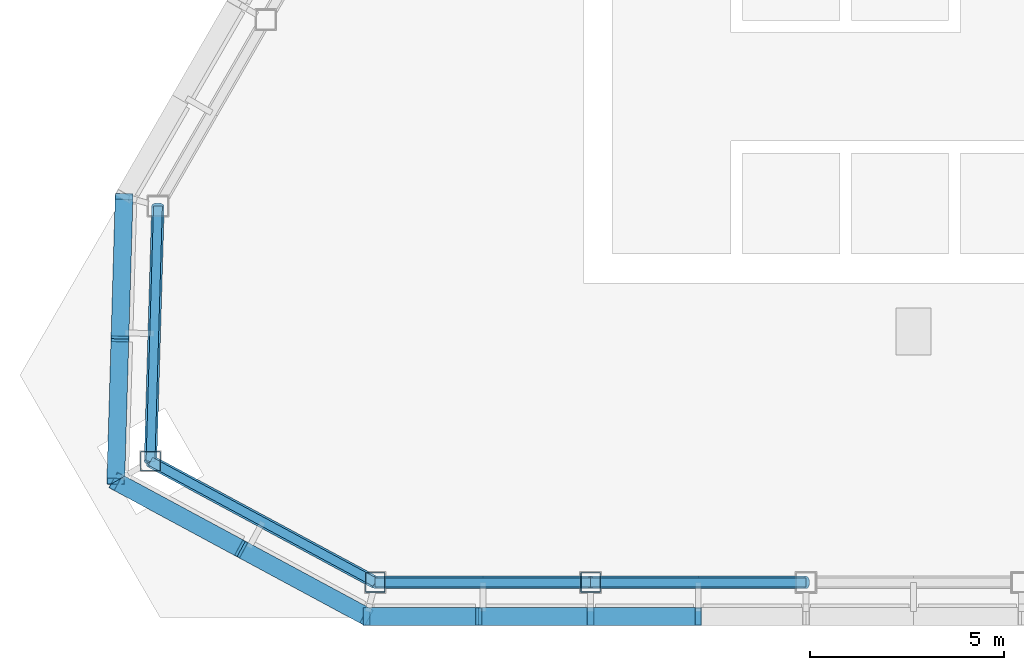
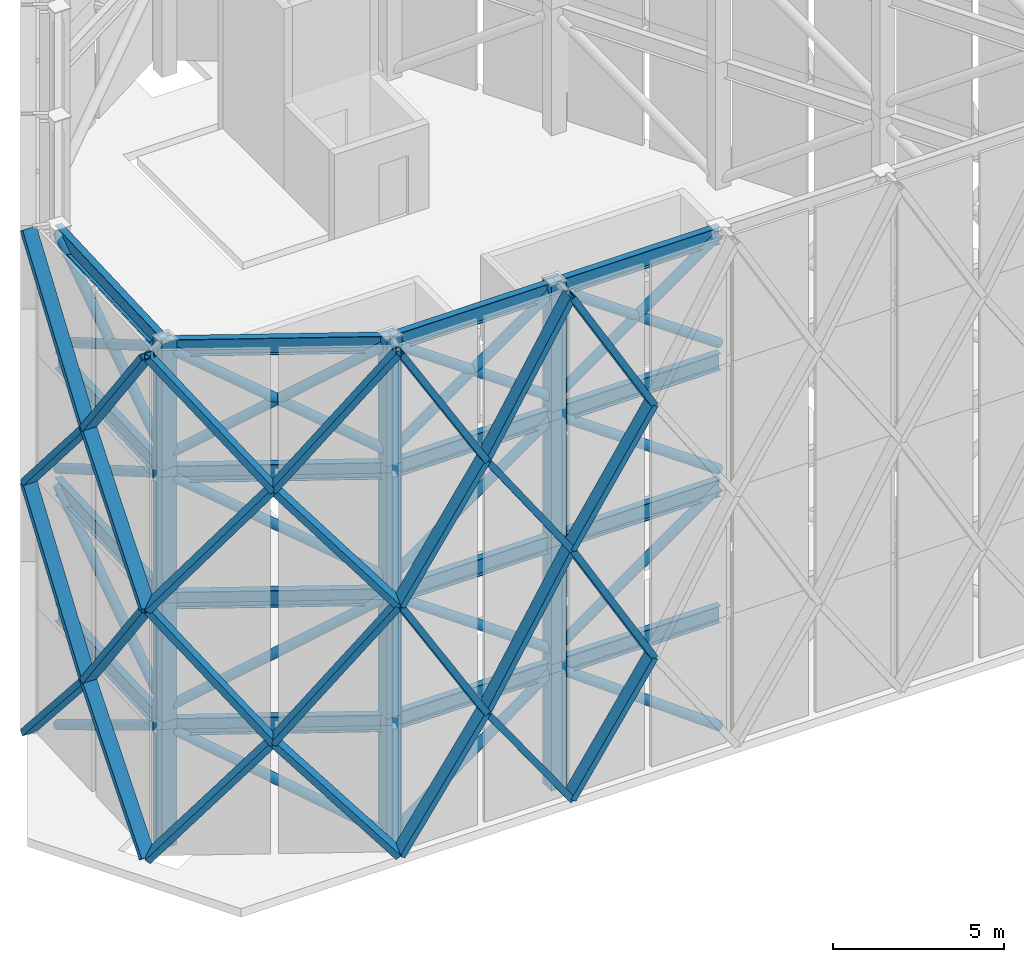
# One storey, part 1 of 12: 60 members, 16 beams.
"""IFC4 building model written with IfcOpenShell, lengths in metres."""

import ifcopenshell
import ifcopenshell.guid

model = None  # the IFC model being written
_history = None  # IfcOwnerHistory: only IFC2X3 demands one
_inside = {}  # id of a spatial element -> (the spatial element, [elements in it])
_under = {}  # id of a project, library or spatial element -> (it, [spatial elements below it])
_declared = {}  # id of a project -> (the project, [libraries it declares])
_typed = {}  # id of a type object -> (the type object, [elements of that type])
_made_of = {}  # id of a material, layer set ... -> (it, [elements and type objects made of it])


def new_model(schema):
    """Start an empty IFC model of exactly this schema.

    Asked for "IFC4X3", IfcOpenShell would pick the latest addendum, in which some entities
    have other attributes; the version numbers below select the first issue.
    IFC2X3 requires an IfcOwnerHistory on every rooted entity: one is made here for all.
    """
    global model, _history
    if schema == "IFC4X3":
        model = ifcopenshell.file(schema_version=(4, 3, 0, 0))
    else:
        model = ifcopenshell.file(schema=schema)
    _inside.clear()
    _under.clear()
    _declared.clear()
    _typed.clear()
    _made_of.clear()
    _history = None
    if model.schema == "IFC2X3":
        org = make("IfcOrganization", Name="unknown")
        user = make(
            "IfcPersonAndOrganization",
            ThePerson=make("IfcPerson", FamilyName="unknown"),
            TheOrganization=org,
        )
        app = make(
            "IfcApplication",
            ApplicationDeveloper=org,
            Version="unknown",
            ApplicationFullName="unknown",
            ApplicationIdentifier="unknown",
        )
        _history = make(
            "IfcOwnerHistory",
            OwningUser=user,
            OwningApplication=app,
            ChangeAction="ADDED",
            CreationDate=0,
        )
    return model


def make(cls, **values):
    """One entity of the class cls with the attributes given. An attribute that is None is left unset."""
    return model.create_entity(
        cls, **{name: value for name, value in values.items() if value is not None}
    )


def rooted(cls, **values):
    """An entity with a GlobalId (a new one), such as an element, a storey or a relation."""
    return make(cls, GlobalId=ifcopenshell.guid.new(), OwnerHistory=_history, **values)


def si_unit(unit_type, name, prefix=None):
    """IfcSIUnit, for example si_unit("LENGTHUNIT", "METRE", prefix="MILLI")."""
    return make("IfcSIUnit", UnitType=unit_type, Prefix=prefix, Name=name)


def assignment(units):
    """IfcUnitAssignment: the units of a project."""
    return None if units is None else make("IfcUnitAssignment", Units=units)


def point(xyz):
    """IfcCartesianPoint."""
    return None if xyz is None else make("IfcCartesianPoint", Coordinates=xyz)


def direction(xyz):
    """IfcDirection."""
    return None if xyz is None else make("IfcDirection", DirectionRatios=xyz)


def frame(location, z_axis=None, x_axis=None):
    """IfcAxis2Placement3D, a coordinate frame: its origin and axes. An axis left out is left unset."""
    return make(
        "IfcAxis2Placement3D",
        Location=point(location),
        Axis=direction(z_axis),
        RefDirection=direction(x_axis),
    )


def frame_2d(location, x_axis=None):
    """IfcAxis2Placement2D, a coordinate frame in the plane: its origin and x axis."""
    return make(
        "IfcAxis2Placement2D", Location=point(location), RefDirection=direction(x_axis)
    )


def origin():
    """The frame at (0, 0, 0) with its axes left unset."""
    return frame((0.0, 0.0, 0.0))


def origin_2d():
    """The frame at (0, 0) in the plane with its x axis left unset."""
    return frame_2d((0.0, 0.0))


def place(relative_to, where):
    """IfcLocalPlacement: puts the frame where relative to a parent placement (None: the world)."""
    return make(
        "IfcLocalPlacement", PlacementRelTo=relative_to, RelativePlacement=where
    )


def context(
    kind, dimensions, precision=None, world=None, true_north=None, identifier=None
):
    """IfcGeometricRepresentationContext, for example the 3D "Model" context."""
    return make(
        "IfcGeometricRepresentationContext",
        ContextIdentifier=identifier,
        ContextType=kind,
        CoordinateSpaceDimension=dimensions,
        Precision=precision,
        WorldCoordinateSystem=world,
        TrueNorth=true_north,
    )


def subcontext(parent, identifier, kind, view, scale=None):
    """IfcGeometricRepresentationSubContext, for example "Body" below "Model"."""
    return make(
        "IfcGeometricRepresentationSubContext",
        ContextIdentifier=identifier,
        ContextType=kind,
        ParentContext=parent,
        TargetScale=scale,
        TargetView=view,
    )


def project(units=None, contexts=None):
    """IfcProject with its units and contexts."""
    return rooted(
        "IfcProject",
        Name="project",
        RepresentationContexts=contexts,
        UnitsInContext=assignment(units),
    )


def spatial(cls, under=None, at=None, **own):
    """A site, building, storey or space (cls), placed at a placement, below another one or the project."""
    s = rooted(cls, ObjectPlacement=at, **own)
    if under is not None:
        _under.setdefault(under.id(), (under, []))[1].append(s)
    return s


def profile(cls, at=None, kind="AREA", **sizes):
    """A parametric profile (cls). Its sizes go by their IFC names, for example OverallWidth=200.0."""
    return make(cls, ProfileType=kind, Position=at, **sizes)


def hollow_rectangle(**sizes):
    """IfcRectangleHollowProfileDef."""
    return profile("IfcRectangleHollowProfileDef", **sizes)


def hollow_circle(**sizes):
    """IfcCircleHollowProfileDef."""
    return profile("IfcCircleHollowProfileDef", **sizes)


def i_section(**sizes):
    """IfcIShapeProfileDef."""
    return profile("IfcIShapeProfileDef", **sizes)


def extrude(swept, where, along, depth):
    """IfcExtrudedAreaSolid: the profile swept, set in the frame where, extruded along a direction by depth."""
    return make(
        "IfcExtrudedAreaSolid",
        SweptArea=swept,
        Position=where,
        ExtrudedDirection=direction(along),
        Depth=depth,
    )


def shape(context_of_items, identifier, shape_type, items):
    """IfcShapeRepresentation: the items that make up one representation, for example the "Body"."""
    return make(
        "IfcShapeRepresentation",
        ContextOfItems=context_of_items,
        RepresentationIdentifier=identifier,
        RepresentationType=shape_type,
        Items=items,
    )


def material(Name=None, Category=None):
    """IfcMaterial."""
    return make("IfcMaterial", Name=Name, Category=Category)


def material_profile(
    of_material, cross_section, Name=None, Category=None, Priority=None
):
    """IfcMaterialProfile: a cross section and its material."""
    return make(
        "IfcMaterialProfile",
        Name=Name,
        Material=of_material,
        Profile=cross_section,
        Priority=Priority,
        Category=Category,
    )


def profile_set(profiles, Name=None, composite=None):
    """IfcMaterialProfileSet."""
    return make(
        "IfcMaterialProfileSet",
        Name=Name,
        MaterialProfiles=profiles,
        CompositeProfile=composite,
    )


def made_of(thing, what):
    """Note that an element or type object is made of a material, layer set ...; save() writes the relation."""
    if what is not None:
        _made_of.setdefault(what.id(), (what, []))[1].append(thing)
    return thing


def type_object(cls, material=None, **own):
    """A type object (cls), such as IfcWallType, which elements share."""
    return made_of(rooted(cls, **own), material)


def element(
    cls,
    number,
    at=None,
    inside=None,
    cuts=None,
    type_object=None,
    material=None,
    context=None,
    identifier="Body",
    shape_type=None,
    held_by="IfcProductDefinitionShape",
    body=None,
    shapes=None,
    **own,
):
    """One element of the class cls, such as IfcWall. Its Tag is "e" and its number.

    at: its placement. inside: the storey or other place that contains it. cuts: it is an
    opening in that element (IfcRelVoidsElement). A single representation is given by context,
    identifier, shape_type and body (its items); several are given by shapes. held_by: the class
    of the entity that holds the representations. save() writes the other relations.
    """
    e = rooted(cls, Tag="e%d" % number, ObjectPlacement=at, **own)
    if body is not None:
        shapes = [shape(context, identifier, shape_type, body)]
    if shapes is not None:
        e.Representation = make(held_by, Representations=shapes)
    if inside is not None:
        _inside.setdefault(inside.id(), (inside, []))[1].append(e)
    if cuts is not None:
        rooted(
            "IfcRelVoidsElement", RelatingBuildingElement=cuts, RelatedOpeningElement=e
        )
    if type_object is not None:
        _typed.setdefault(type_object.id(), (type_object, []))[1].append(e)
    return made_of(e, material)


def aggregate(whole, parts):
    """IfcRelAggregates: a whole, such as a stair, and the parts it consists of."""
    return rooted("IfcRelAggregates", RelatingObject=whole, RelatedObjects=parts)


def save(model, path):
    """Write the relations noted so far, then the file.

    IfcRelAggregates (storeys below a building ...), IfcRelContainedInSpatialStructure (elements
    in a storey), IfcRelDefinesByType, IfcRelAssociatesMaterial and IfcRelDeclares: one each for
    every whole, place, type object, material and project.
    """
    for whole, parts in _under.values():
        aggregate(whole, parts)
    for where, things in _inside.values():
        rooted(
            "IfcRelContainedInSpatialStructure",
            RelatedElements=things,
            RelatingStructure=where,
        )
    for kind, things in _typed.values():
        rooted("IfcRelDefinesByType", RelatedObjects=things, RelatingType=kind)
    for what, things in _made_of.values():
        rooted("IfcRelAssociatesMaterial", RelatedObjects=things, RelatingMaterial=what)
    for by, libraries in _declared.values():
        rooted("IfcRelDeclares", RelatingContext=by, RelatedDefinitions=libraries)
    model.write(path)


model = new_model("IFC4")

# Units and contexts
model_context = context("Model", 3, precision=1e-05, world=origin(), true_north=direction((0.0, 1.0)))
body_context = subcontext(model_context, "Body", "Model", "MODEL_VIEW")
ifc_project = project(units=[si_unit("LENGTHUNIT", "METRE"), si_unit("AREAUNIT", "SQUARE_METRE"), si_unit("VOLUMEUNIT", "CUBIC_METRE"), si_unit("PLANEANGLEUNIT", "RADIAN"), si_unit("MASSUNIT", "GRAM", prefix="KILO")], contexts=[model_context])

# Site, building, storey
site_placement = place(None, origin())
site = spatial("IfcSite", under=ifc_project, at=site_placement, CompositionType="ELEMENT")
building_placement = place(site_placement, origin())
building = spatial("IfcBuilding", under=site, at=building_placement, Name="Firuza Gate Tower and Library", CompositionType="ELEMENT")
storey_placement = place(building_placement, frame((0.0, 0.0, 339.60009765625)))
storey = spatial("IfcBuildingStorey", under=building, at=storey_placement, Name="Roof", CompositionType="ELEMENT", Elevation=339.60009765625)

# Members
ifc_material_1 = material(Name="Steel S355", Category="steel")
ifc_material_profile_1 = material_profile(ifc_material_1, hollow_rectangle(XDim=0.457275390625, YDim=0.203125, WallThickness=0.01171875, at=origin_2d()))
ifc_profile_set_1 = profile_set([ifc_material_profile_1], Name="Steel S355")
member_type_1 = type_object("IfcMemberType", Name="Crown lattice bar HSS203x457x13", PredefinedType="BRACE", material=ifc_profile_set_1)
for number, where, z_axis, x_axis, name in (
    (1, (54.67919921875, 70.475341796875, 0.099853515625), (-0.019488030529, -0.66649952247, 0.74525069823), (0.99957280333, -0.029226885618, 0.0), "Crown lattice bar 1.1a"),
    (2, (54.572021484375, 66.809814453125, 4.198486328125), (-0.01948745394, -0.666524193417, -0.745228648623), (0.999572860194, -0.029224940768, 0.0), "Crown lattice bar 1.1b"),
):
    element("IfcMember", number, at=place(storey_placement, frame(where, z_axis=z_axis, x_axis=x_axis)), inside=storey, type_object=member_type_1, Name=name, PredefinedType="BRACE", context=body_context, shape_type="SweptSolid", body=[
        extrude(hollow_rectangle(XDim=0.457275390625, YDim=0.203125, WallThickness=0.01171875, at=origin_2d()), origin(), (0.0, 0.0, 1.0), 5.499755859375),
    ])
for number, where, z_axis, x_axis, name in (
    (3, (54.67919921875, 70.475341796875, 9.0), (-0.017739671757, -0.606704855959, -0.794729212878), (0.99957280333, -0.029226885618, 0.0), "Crown lattice bar 1.2a"),
    (4, (54.572021484375, 66.809814453125, 4.198486328125), (-0.017739236844, -0.606730390014, 0.794709728964), (0.999572860194, -0.029224940768, 0.0), "Crown lattice bar 1.2b"),
):
    element("IfcMember", number, at=place(storey_placement, frame(where, z_axis=z_axis, x_axis=x_axis)), inside=storey, type_object=member_type_1, Name=name, PredefinedType="BRACE", context=body_context, shape_type="SweptSolid", body=[
        extrude(hollow_rectangle(XDim=0.457275390625, YDim=0.203125, WallThickness=0.01171875, at=origin_2d()), origin(), (0.0, 0.0, 1.0), 6.041748046875),
    ])
member_1_placement = place(storey_placement, frame((54.67919921875, 70.475341796875, 9.0), z_axis=(-0.019226487301, -0.657554624899, 0.753161508218), x_axis=(0.99957280333, -0.029226885618, 0.0)))
element("IfcMember", 5, at=member_1_placement, inside=storey, type_object=member_type_1, Name="Crown lattice bar 1.3a", PredefinedType="BRACE", context=body_context, shape_type="SweptSolid", body=[
    extrude(hollow_rectangle(XDim=0.457275390625, YDim=0.203125, WallThickness=0.01171875, at=origin_2d()), origin(), (0.0, 0.0, 1.0), 5.574462890625),
])
member_2_placement = place(storey_placement, frame((54.572021484375, 66.809814453125, 13.198486328125), z_axis=(-0.019225933615, -0.65757948345, -0.753139818641), x_axis=(0.999572860194, -0.029224940768, 0.0)))
element("IfcMember", 6, at=member_2_placement, inside=storey, type_object=member_type_1, Name="Crown lattice bar 1.3b", PredefinedType="BRACE", context=body_context, shape_type="SweptSolid", body=[
    extrude(hollow_rectangle(XDim=0.457275390625, YDim=0.203125, WallThickness=0.01171875, at=origin_2d()), origin(), (0.0, 0.0, 1.0), 5.57470703125),
])
for number, where, z_axis, x_axis, name in (
    (7, (54.67919921875, 70.475341796875, 18.0), (-0.017739671757, -0.606704855959, -0.794729212878), (0.99957280333, -0.029226885618, 0.0), "Crown lattice bar 1.4a"),
    (8, (54.572021484375, 66.809814453125, 13.198486328125), (-0.017739236844, -0.606730390014, 0.794709728964), (0.999572860194, -0.029224940768, 0.0), "Crown lattice bar 1.4b"),
):
    element("IfcMember", number, at=place(storey_placement, frame(where, z_axis=z_axis, x_axis=x_axis)), inside=storey, type_object=member_type_1, Name=name, PredefinedType="BRACE", context=body_context, shape_type="SweptSolid", body=[
        extrude(hollow_rectangle(XDim=0.457275390625, YDim=0.203125, WallThickness=0.01171875, at=origin_2d()), origin(), (0.0, 0.0, 1.0), 6.041748046875),
    ])
member_3_placement = place(storey_placement, frame((54.46484375, 63.14404296875, 0.099853515625), z_axis=(0.586947849555, -0.316380072892, 0.7452488654), x_axis=(0.4744848783, 0.880263653836, 0.0)))
element("IfcMember", 9, at=member_3_placement, inside=storey, type_object=member_type_1, Name="Crown lattice bar 2.1a", PredefinedType="BRACE", context=body_context, shape_type="SweptSolid", body=[
    extrude(hollow_rectangle(XDim=0.457275390625, YDim=0.203125, WallThickness=0.01171875, at=origin_2d()), origin(), (0.0, 0.0, 1.0), 5.499755859375),
])
member_4_placement = place(storey_placement, frame((57.69287109375, 61.404052734375, 4.198486328125), z_axis=(0.586968702999, -0.31641177607, -0.745218981014), x_axis=(0.474508656304, 0.880250836462, 0.0)))
element("IfcMember", 10, at=member_4_placement, inside=storey, type_object=member_type_1, Name="Crown lattice bar 2.1b", PredefinedType="BRACE", context=body_context, shape_type="SweptSolid", body=[
    extrude(hollow_rectangle(XDim=0.457275390625, YDim=0.203125, WallThickness=0.01171875, at=origin_2d()), origin(), (0.0, 0.0, 1.0), 5.5),
])
member_5_placement = place(storey_placement, frame((54.46484375, 63.14404296875, 9.0), z_axis=(0.534290346213, -0.287996316553, -0.794727593327), x_axis=(0.4744848783, 0.880263653836, 0.0)))
element("IfcMember", 11, at=member_5_placement, inside=storey, type_object=member_type_1, Name="Crown lattice bar 2.2a", PredefinedType="BRACE", context=body_context, shape_type="SweptSolid", body=[
    extrude(hollow_rectangle(XDim=0.457275390625, YDim=0.203125, WallThickness=0.01171875, at=origin_2d()), origin(), (0.0, 0.0, 1.0), 6.041748046875),
])
member_6_placement = place(storey_placement, frame((57.69287109375, 61.404052734375, 4.198486328125), z_axis=(0.534313000708, -0.288027154885, 0.794701186185), x_axis=(0.474508656304, 0.880250836462, 0.0)))
element("IfcMember", 12, at=member_6_placement, inside=storey, type_object=member_type_1, Name="Crown lattice bar 2.2b", PredefinedType="BRACE", context=body_context, shape_type="SweptSolid", body=[
    extrude(hollow_rectangle(XDim=0.457275390625, YDim=0.203125, WallThickness=0.01171875, at=origin_2d()), origin(), (0.0, 0.0, 1.0), 6.0419921875),
])
member_7_placement = place(storey_placement, frame((54.46484375, 63.14404296875, 9.0), z_axis=(0.579070629976, -0.312134047787, 0.753159705316), x_axis=(0.4744848783, 0.880263653836, 0.0)))
element("IfcMember", 13, at=member_7_placement, inside=storey, type_object=member_type_1, Name="Crown lattice bar 2.3a", PredefinedType="BRACE", context=body_context, shape_type="SweptSolid", body=[
    extrude(hollow_rectangle(XDim=0.457275390625, YDim=0.203125, WallThickness=0.01171875, at=origin_2d()), origin(), (0.0, 0.0, 1.0), 5.574462890625),
])
member_8_placement = place(storey_placement, frame((57.69287109375, 61.404052734375, 13.198486328125), z_axis=(0.579091822654, -0.312165659221, -0.75313030887), x_axis=(0.474508656304, 0.880250836462, 0.0)))
element("IfcMember", 14, at=member_8_placement, inside=storey, type_object=member_type_1, Name="Crown lattice bar 2.3b", PredefinedType="BRACE", context=body_context, shape_type="SweptSolid", body=[
    extrude(hollow_rectangle(XDim=0.457275390625, YDim=0.203125, WallThickness=0.01171875, at=origin_2d()), origin(), (0.0, 0.0, 1.0), 5.57470703125),
])
member_9_placement = place(storey_placement, frame((54.46484375, 63.14404296875, 18.0), z_axis=(0.534290346213, -0.287996316553, -0.794727593327), x_axis=(0.4744848783, 0.880263653836, 0.0)))
element("IfcMember", 15, at=member_9_placement, inside=storey, type_object=member_type_1, Name="Crown lattice bar 2.4a", PredefinedType="BRACE", context=body_context, shape_type="SweptSolid", body=[
    extrude(hollow_rectangle(XDim=0.457275390625, YDim=0.203125, WallThickness=0.01171875, at=origin_2d()), origin(), (0.0, 0.0, 1.0), 6.041748046875),
])
member_10_placement = place(storey_placement, frame((57.69287109375, 61.404052734375, 13.198486328125), z_axis=(0.534313000708, -0.288027154885, 0.794701186185), x_axis=(0.474508656304, 0.880250836462, 0.0)))
element("IfcMember", 16, at=member_10_placement, inside=storey, type_object=member_type_1, Name="Crown lattice bar 2.4b", PredefinedType="BRACE", context=body_context, shape_type="SweptSolid", body=[
    extrude(hollow_rectangle(XDim=0.457275390625, YDim=0.203125, WallThickness=0.01171875, at=origin_2d()), origin(), (0.0, 0.0, 1.0), 6.0419921875),
])
for number, where, z_axis, x_axis, name in (
    (17, (60.921142578125, 59.663818359375, 0.099853515625), (0.575239922405, 0.0, 0.817984738043), (0.0, 1.0, 0.0), "Crown lattice bar 3.1a"),
    (18, (63.803466796875, 59.663818359375, 4.198486328125), (0.575239922405, 0.0, -0.817984738043), (0.0, 1.0, 0.0), "Crown lattice bar 3.1b"),
):
    element("IfcMember", number, at=place(storey_placement, frame(where, z_axis=z_axis, x_axis=x_axis)), inside=storey, type_object=member_type_1, Name=name, PredefinedType="BRACE", context=body_context, shape_type="SweptSolid", body=[
        extrude(hollow_rectangle(XDim=0.457275390625, YDim=0.203125, WallThickness=0.01171875, at=origin_2d()), origin(), (0.0, 0.0, 1.0), 5.0107421875),
    ])
for number, where, z_axis, x_axis, name in (
    (19, (60.921142578125, 59.663818359375, 9.0), (0.51468166286, 0.0, -0.857381353842), (0.0, 1.0, 0.0), "Crown lattice bar 3.2a"),
    (20, (63.803466796875, 59.663818359375, 4.198486328125), (0.51468166286, 0.0, 0.857381353842), (0.0, 1.0, 0.0), "Crown lattice bar 3.2b"),
):
    element("IfcMember", number, at=place(storey_placement, frame(where, z_axis=z_axis, x_axis=x_axis)), inside=storey, type_object=member_type_1, Name=name, PredefinedType="BRACE", context=body_context, shape_type="SweptSolid", body=[
        extrude(hollow_rectangle(XDim=0.457275390625, YDim=0.203125, WallThickness=0.01171875, at=origin_2d()), origin(), (0.0, 0.0, 1.0), 5.60009765625),
    ])
for number, where, z_axis, x_axis, name in (
    (21, (60.921142578125, 59.663818359375, 9.0), (0.565977324743, 0.0, 0.824420807523), (0.0, 1.0, 0.0), "Crown lattice bar 3.3a"),
    (22, (63.803466796875, 59.663818359375, 13.198486328125), (0.565977324743, 0.0, -0.824420807523), (0.0, 1.0, 0.0), "Crown lattice bar 3.3b"),
):
    element("IfcMember", number, at=place(storey_placement, frame(where, z_axis=z_axis, x_axis=x_axis)), inside=storey, type_object=member_type_1, Name=name, PredefinedType="BRACE", context=body_context, shape_type="SweptSolid", body=[
        extrude(hollow_rectangle(XDim=0.457275390625, YDim=0.203125, WallThickness=0.01171875, at=origin_2d()), origin(), (0.0, 0.0, 1.0), 5.092529296875),
    ])
for number, where, z_axis, x_axis, name in (
    (23, (60.921142578125, 59.663818359375, 18.0), (0.51468166286, 0.0, -0.857381353842), (0.0, 1.0, 0.0), "Crown lattice bar 3.4a"),
    (24, (63.803466796875, 59.663818359375, 13.198486328125), (0.51468166286, 0.0, 0.857381353842), (0.0, 1.0, 0.0), "Crown lattice bar 3.4b"),
):
    element("IfcMember", number, at=place(storey_placement, frame(where, z_axis=z_axis, x_axis=x_axis)), inside=storey, type_object=member_type_1, Name=name, PredefinedType="BRACE", context=body_context, shape_type="SweptSolid", body=[
        extrude(hollow_rectangle(XDim=0.457275390625, YDim=0.203125, WallThickness=0.01171875, at=origin_2d()), origin(), (0.0, 0.0, 1.0), 5.60009765625),
    ])
member_11_placement = place(storey_placement, frame((66.685791015625, 59.663818359375, 0.099853515625), z_axis=(0.560120171137, 0.0, 0.828411367549), x_axis=(0.0, 1.0, 0.0)))
element("IfcMember", 25, at=member_11_placement, inside=storey, type_object=member_type_1, Name="Crown lattice bar 4.1a", PredefinedType="BRACE", context=body_context, shape_type="SweptSolid", body=[
    extrude(hollow_rectangle(XDim=0.457275390625, YDim=0.203125, WallThickness=0.01171875, at=origin_2d()), origin(), (0.0, 0.0, 1.0), 4.947509765625),
])
member_12_placement = place(storey_placement, frame((66.685791015625, 59.663818359375, 9.0), z_axis=(0.499876212308, 0.0, -0.866096860847), x_axis=(0.0, 1.0, 0.0)))
element("IfcMember", 26, at=member_12_placement, inside=storey, type_object=member_type_1, Name="Crown lattice bar 4.2a", PredefinedType="BRACE", context=body_context, shape_type="SweptSolid", body=[
    extrude(hollow_rectangle(XDim=0.457275390625, YDim=0.203125, WallThickness=0.01171875, at=origin_2d()), origin(), (0.0, 0.0, 1.0), 5.5439453125),
])
member_13_placement = place(storey_placement, frame((66.685791015625, 59.663818359375, 9.0), z_axis=(0.550875337164, 0.0, 0.834587540588), x_axis=(0.0, 1.0, 0.0)))
element("IfcMember", 27, at=member_13_placement, inside=storey, type_object=member_type_1, Name="Crown lattice bar 4.3a", PredefinedType="BRACE", context=body_context, shape_type="SweptSolid", body=[
    extrude(hollow_rectangle(XDim=0.457275390625, YDim=0.203125, WallThickness=0.01171875, at=origin_2d()), origin(), (0.0, 0.0, 1.0), 5.030517578125),
])
member_14_placement = place(storey_placement, frame((66.685791015625, 59.663818359375, 18.0), z_axis=(0.499876212308, 0.0, -0.866096860847), x_axis=(0.0, 1.0, 0.0)))
element("IfcMember", 28, at=member_14_placement, inside=storey, type_object=member_type_1, Name="Crown lattice bar 4.4a", PredefinedType="BRACE", context=body_context, shape_type="SweptSolid", body=[
    extrude(hollow_rectangle(XDim=0.457275390625, YDim=0.203125, WallThickness=0.01171875, at=origin_2d()), origin(), (0.0, 0.0, 1.0), 5.5439453125),
])
ifc_material_2 = material(Name="Steel S355", Category="steel")
ifc_material_profile_2 = material_profile(ifc_material_2, hollow_circle(Radius=0.161865234375, WallThickness=0.01171875, at=origin_2d()))
ifc_profile_set_2 = profile_set([ifc_material_profile_2], Name="Steel S355")
member_type_2 = type_object("IfcMemberType", Name="HSS324x13 CROWN FRAME brace", PredefinedType="BRACE", material=ifc_profile_set_2)
for number, where, z_axis, x_axis, name in (
    (29, (55.55078125, 70.22802734375, 0.161865234375), (-0.024884028939, -0.851692298383, 0.523451061685), (0.999573451893, -0.029204696052, 0.0), "CROWN FRAME brace tier 1 1"),
    (30, (61.142822265625, 60.54248046875, 0.161865234375), (-0.750034656205, 0.404286123833, 0.523450804343), (-0.474483099282, -0.880264612771, 0.0), "CROWN FRAME brace tier 1 2"),
):
    element("IfcMember", number, at=place(storey_placement, frame(where, z_axis=z_axis, x_axis=x_axis)), inside=storey, type_object=member_type_2, Name=name, PredefinedType="BRACE", context=body_context, shape_type="SweptSolid", body=[
        extrude(hollow_circle(Radius=0.161865234375, WallThickness=0.01171875, at=origin_2d()), origin(), (0.0, 0.0, 1.0), 7.711669921875),
    ])
for number, where, z_axis, x_axis, name in (
    (31, (61.142822265625, 60.54248046875, 0.161865234375), (0.808363326322, 0.0, 0.588683898758), (0.0, 1.0, 0.0), "CROWN FRAME brace tier 1 3"),
    (32, (72.228515625, 60.54248046875, 0.161865234375), (-0.808350987114, 0.0, 0.588700842221), (0.0, -1.0, 0.0), "CROWN FRAME brace tier 1 4"),
):
    element("IfcMember", number, at=place(storey_placement, frame(where, z_axis=z_axis, x_axis=x_axis)), inside=storey, type_object=member_type_2, Name=name, PredefinedType="BRACE", context=body_context, shape_type="SweptSolid", body=[
        extrude(hollow_circle(Radius=0.161865234375, WallThickness=0.01171875, at=origin_2d()), origin(), (0.0, 0.0, 1.0), 6.85693359375),
    ])
for number, where, z_axis, x_axis, name in (
    (33, (55.35888671875, 63.66015625, 4.801513671875), (0.025119118688, 0.859738588975, 0.51011624999), (-0.999573451893, 0.029204696052, 0.0), "CROWN FRAME brace tier 2 1"),
    (34, (55.35888671875, 63.66015625, 4.801513671875), (0.757120537798, -0.408105578814, 0.510115994442), (0.474483099282, 0.880264612771, 0.0), "CROWN FRAME brace tier 2 2"),
):
    element("IfcMember", number, at=place(storey_placement, frame(where, z_axis=z_axis, x_axis=x_axis)), inside=storey, type_object=member_type_2, Name=name, PredefinedType="BRACE", context=body_context, shape_type="SweptSolid", body=[
        extrude(hollow_circle(Radius=0.161865234375, WallThickness=0.01171875, at=origin_2d()), origin(), (0.0, 0.0, 1.0), 7.639404296875),
    ])
member_15_placement = place(storey_placement, frame((66.685791015625, 60.54248046875, 4.801513671875), z_axis=(-0.818058825437, 0.0, 0.575134556538), x_axis=(0.0, -1.0, 0.0)))
element("IfcMember", 35, at=member_15_placement, inside=storey, type_object=member_type_2, Name="CROWN FRAME brace tier 2 3", PredefinedType="BRACE", context=body_context, shape_type="SweptSolid", body=[
    extrude(hollow_circle(Radius=0.161865234375, WallThickness=0.01171875, at=origin_2d()), origin(), (0.0, 0.0, 1.0), 6.77587890625),
])
member_16_placement = place(storey_placement, frame((66.685791015625, 60.54248046875, 4.801513671875), z_axis=(0.818046906425, 0.0, 0.575151509508), x_axis=(0.0, 1.0, 0.0)))
element("IfcMember", 36, at=member_16_placement, inside=storey, type_object=member_type_2, Name="CROWN FRAME brace tier 2 4", PredefinedType="BRACE", context=body_context, shape_type="SweptSolid", body=[
    extrude(hollow_circle(Radius=0.161865234375, WallThickness=0.01171875, at=origin_2d()), origin(), (0.0, 0.0, 1.0), 6.775634765625),
])
for number, where, z_axis, x_axis, name in (
    (37, (55.55078125, 70.22802734375, 9.301513671875), (-0.025119118688, -0.859738588975, 0.51011624999), (0.999573451893, -0.029204696052, 0.0), "CROWN FRAME brace tier 3 1"),
    (38, (61.142822265625, 60.54248046875, 9.301513671875), (-0.757120537798, 0.408105578814, 0.510115994442), (-0.474483099282, -0.880264612771, 0.0), "CROWN FRAME brace tier 3 2"),
):
    element("IfcMember", number, at=place(storey_placement, frame(where, z_axis=z_axis, x_axis=x_axis)), inside=storey, type_object=member_type_2, Name=name, PredefinedType="BRACE", context=body_context, shape_type="SweptSolid", body=[
        extrude(hollow_circle(Radius=0.161865234375, WallThickness=0.01171875, at=origin_2d()), origin(), (0.0, 0.0, 1.0), 7.639404296875),
    ])
member_17_placement = place(storey_placement, frame((61.142822265625, 60.54248046875, 9.301513671875), z_axis=(0.818058825437, 0.0, 0.575134556538), x_axis=(0.0, 1.0, 0.0)))
element("IfcMember", 39, at=member_17_placement, inside=storey, type_object=member_type_2, Name="CROWN FRAME brace tier 3 3", PredefinedType="BRACE", context=body_context, shape_type="SweptSolid", body=[
    extrude(hollow_circle(Radius=0.161865234375, WallThickness=0.01171875, at=origin_2d()), origin(), (0.0, 0.0, 1.0), 6.77587890625),
])
member_18_placement = place(storey_placement, frame((72.228515625, 60.54248046875, 9.301513671875), z_axis=(-0.818046906425, 0.0, 0.575151509508), x_axis=(0.0, -1.0, 0.0)))
element("IfcMember", 40, at=member_18_placement, inside=storey, type_object=member_type_2, Name="CROWN FRAME brace tier 3 4", PredefinedType="BRACE", context=body_context, shape_type="SweptSolid", body=[
    extrude(hollow_circle(Radius=0.161865234375, WallThickness=0.01171875, at=origin_2d()), origin(), (0.0, 0.0, 1.0), 6.775634765625),
])
for number, where, z_axis, x_axis, name in (
    (41, (55.35888671875, 63.66015625, 13.801513671875), (0.025119118688, 0.859738588975, 0.51011624999), (-0.999573451893, 0.029204696052, 0.0), "CROWN FRAME brace tier 4 1"),
    (42, (55.55078125, 70.22802734375, 13.801513671875), (-0.025119118688, -0.859738588975, 0.51011624999), (0.999573451893, -0.029204696052, 0.0), "CROWN FRAME counter brace tier 4 1"),
    (43, (55.35888671875, 63.66015625, 13.801513671875), (0.757120537798, -0.408105578814, 0.510115994442), (0.474483099282, 0.880264612771, 0.0), "CROWN FRAME brace tier 4 2"),
    (44, (61.142822265625, 60.54248046875, 13.801513671875), (-0.757120537798, 0.408105578814, 0.510115994442), (-0.474483099282, -0.880264612771, 0.0), "CROWN FRAME counter brace tier 4 2"),
):
    element("IfcMember", number, at=place(storey_placement, frame(where, z_axis=z_axis, x_axis=x_axis)), inside=storey, type_object=member_type_2, Name=name, PredefinedType="BRACE", context=body_context, shape_type="SweptSolid", body=[
        extrude(hollow_circle(Radius=0.161865234375, WallThickness=0.01171875, at=origin_2d()), origin(), (0.0, 0.0, 1.0), 7.639404296875),
    ])
for number, where, z_axis, x_axis, name in (
    (45, (66.685791015625, 60.54248046875, 13.801513671875), (-0.818058825437, 0.0, 0.575134556538), (0.0, -1.0, 0.0), "CROWN FRAME brace tier 4 3"),
    (46, (61.142822265625, 60.54248046875, 13.801513671875), (0.818058825437, 0.0, 0.575134556538), (0.0, 1.0, 0.0), "CROWN FRAME counter brace tier 4 3"),
):
    element("IfcMember", number, at=place(storey_placement, frame(where, z_axis=z_axis, x_axis=x_axis)), inside=storey, type_object=member_type_2, Name=name, PredefinedType="BRACE", context=body_context, shape_type="SweptSolid", body=[
        extrude(hollow_circle(Radius=0.161865234375, WallThickness=0.01171875, at=origin_2d()), origin(), (0.0, 0.0, 1.0), 6.77587890625),
    ])
for number, where, z_axis, x_axis, name in (
    (47, (66.685791015625, 60.54248046875, 13.801513671875), (0.818046906425, 0.0, 0.575151509508), (0.0, 1.0, 0.0), "CROWN FRAME brace tier 4 4"),
    (48, (72.228515625, 60.54248046875, 13.801513671875), (-0.818046906425, 0.0, 0.575151509508), (0.0, -1.0, 0.0), "CROWN FRAME counter brace tier 4 4"),
):
    element("IfcMember", number, at=place(storey_placement, frame(where, z_axis=z_axis, x_axis=x_axis)), inside=storey, type_object=member_type_2, Name=name, PredefinedType="BRACE", context=body_context, shape_type="SweptSolid", body=[
        extrude(hollow_circle(Radius=0.161865234375, WallThickness=0.01171875, at=origin_2d()), origin(), (0.0, 0.0, 1.0), 6.775634765625),
    ])
ifc_material_3 = material(Name="Steel S355", Category="steel")
ifc_material_profile_3 = material_profile(ifc_material_3, hollow_rectangle(XDim=0.508056640625, YDim=0.508056640625, WallThickness=0.014892578125, at=origin_2d()))
ifc_profile_set_3 = profile_set([ifc_material_profile_3], Name="Steel S355")
member_type_3 = type_object("IfcMemberType", Name="HSS508x508x16 CROWN FRAME post", PredefinedType="POST", material=ifc_profile_set_3)
member_19_placement = place(storey_placement, frame((55.35888671875, 63.66015625, -0.00048828125), z_axis=(0.0, 0.0, 1.0), x_axis=(1.0, 0.0, 0.0)))
element("IfcMember", 49, at=member_19_placement, inside=storey, type_object=member_type_3, Name="CROWN FRAME post mcSW tier 1", PredefinedType="POST", context=body_context, shape_type="SweptSolid", body=[
    extrude(hollow_rectangle(XDim=0.508056640625, YDim=0.508056640625, WallThickness=0.014892578125, at=origin_2d()), origin(), (0.0, 0.0, 1.0), 4.50048828125),
])
for number, where, z_axis, x_axis, name in (
    (50, (55.35888671875, 63.66015625, 4.5), (0.0, 0.0, 1.0), (1.0, 0.0, 0.0), "CROWN FRAME post mcSW tier 2"),
    (51, (55.35888671875, 63.66015625, 9.0), (0.0, 0.0, 1.0), (1.0, 0.0, 0.0), "CROWN FRAME post mcSW tier 3"),
    (52, (55.35888671875, 63.66015625, 13.5), (0.0, 0.0, 1.0), (1.0, 0.0, 0.0), "CROWN FRAME post mcSW tier 4"),
):
    element("IfcMember", number, at=place(storey_placement, frame(where, z_axis=z_axis, x_axis=x_axis)), inside=storey, type_object=member_type_3, Name=name, PredefinedType="POST", context=body_context, shape_type="SweptSolid", body=[
        extrude(hollow_rectangle(XDim=0.508056640625, YDim=0.508056640625, WallThickness=0.014892578125, at=origin_2d()), origin(), (0.0, 0.0, 1.0), 4.5),
    ])
member_20_placement = place(storey_placement, frame((61.142822265625, 60.54248046875, -0.00048828125), z_axis=(0.0, 0.0, 1.0), x_axis=(1.0, 0.0, 0.0)))
element("IfcMember", 53, at=member_20_placement, inside=storey, type_object=member_type_3, Name="CROWN FRAME post S1 tier 1", PredefinedType="POST", context=body_context, shape_type="SweptSolid", body=[
    extrude(hollow_rectangle(XDim=0.508056640625, YDim=0.508056640625, WallThickness=0.014892578125, at=origin_2d()), origin(), (0.0, 0.0, 1.0), 4.50048828125),
])
for number, where, z_axis, x_axis, name in (
    (54, (61.142822265625, 60.54248046875, 4.5), (0.0, 0.0, 1.0), (1.0, 0.0, 0.0), "CROWN FRAME post S1 tier 2"),
    (55, (61.142822265625, 60.54248046875, 9.0), (0.0, 0.0, 1.0), (1.0, 0.0, 0.0), "CROWN FRAME post S1 tier 3"),
    (56, (61.142822265625, 60.54248046875, 13.5), (0.0, 0.0, 1.0), (1.0, 0.0, 0.0), "CROWN FRAME post S1 tier 4"),
):
    element("IfcMember", number, at=place(storey_placement, frame(where, z_axis=z_axis, x_axis=x_axis)), inside=storey, type_object=member_type_3, Name=name, PredefinedType="POST", context=body_context, shape_type="SweptSolid", body=[
        extrude(hollow_rectangle(XDim=0.508056640625, YDim=0.508056640625, WallThickness=0.014892578125, at=origin_2d()), origin(), (0.0, 0.0, 1.0), 4.5),
    ])
member_21_placement = place(storey_placement, frame((66.685791015625, 60.54248046875, -0.00048828125), z_axis=(0.0, 0.0, 1.0), x_axis=(1.0, 0.0, 0.0)))
element("IfcMember", 57, at=member_21_placement, inside=storey, type_object=member_type_3, Name="CROWN FRAME post S2 tier 1", PredefinedType="POST", context=body_context, shape_type="SweptSolid", body=[
    extrude(hollow_rectangle(XDim=0.508056640625, YDim=0.508056640625, WallThickness=0.014892578125, at=origin_2d()), origin(), (0.0, 0.0, 1.0), 4.50048828125),
])
for number, where, z_axis, x_axis, name in (
    (58, (66.685791015625, 60.54248046875, 4.5), (0.0, 0.0, 1.0), (1.0, 0.0, 0.0), "CROWN FRAME post S2 tier 2"),
    (59, (66.685791015625, 60.54248046875, 9.0), (0.0, 0.0, 1.0), (1.0, 0.0, 0.0), "CROWN FRAME post S2 tier 3"),
    (60, (66.685791015625, 60.54248046875, 13.5), (0.0, 0.0, 1.0), (1.0, 0.0, 0.0), "CROWN FRAME post S2 tier 4"),
):
    element("IfcMember", number, at=place(storey_placement, frame(where, z_axis=z_axis, x_axis=x_axis)), inside=storey, type_object=member_type_3, Name=name, PredefinedType="POST", context=body_context, shape_type="SweptSolid", body=[
        extrude(hollow_rectangle(XDim=0.508056640625, YDim=0.508056640625, WallThickness=0.014892578125, at=origin_2d()), origin(), (0.0, 0.0, 1.0), 4.5),
    ])

# Beams
ifc_material_4 = material(Name="Steel S355", Category="steel")
ifc_material_profile_4 = material_profile(ifc_material_4, i_section(OverallWidth=0.22802734375, OverallDepth=0.60302734375, WebThickness=0.010498046875, FlangeThickness=0.014892578125, at=origin_2d()))
ifc_profile_set_4 = profile_set([ifc_material_profile_4], Name="Steel S355")
beam_type = type_object("IfcBeamType", Name="W610x101 CROWN FRAME ring beam", PredefinedType="BEAM", material=ifc_profile_set_4)
for number, where, z_axis, x_axis, name in (
    (61, (55.55078125, 70.22802734375, 4.198486328125), (-0.029204696052, -0.999573451893, 0.0), (0.999573451893, -0.029204696052, 0.0), "CROWN FRAME ring beam tier 1 1"),
    (62, (55.35888671875, 63.66015625, 4.198486328125), (0.880264612771, -0.474483099282, 0.0), (0.474483099282, 0.880264612771, 0.0), "CROWN FRAME ring beam tier 1 2"),
):
    element("IfcBeam", number, at=place(storey_placement, frame(where, z_axis=z_axis, x_axis=x_axis)), inside=storey, type_object=beam_type, Name=name, PredefinedType="BEAM", context=body_context, shape_type="SweptSolid", body=[
        extrude(i_section(OverallWidth=0.22802734375, OverallDepth=0.60302734375, WebThickness=0.010498046875, FlangeThickness=0.014892578125, at=origin_2d()), origin(), (0.0, 0.0, 1.0), 6.570556640625),
    ])
beam_1_placement = place(storey_placement, frame((61.142822265625, 60.54248046875, 4.198486328125), z_axis=(1.0, 0.0, 0.0), x_axis=(0.0, 1.0, 0.0)))
element("IfcBeam", 63, at=beam_1_placement, inside=storey, type_object=beam_type, Name="CROWN FRAME ring beam tier 1 3", PredefinedType="BEAM", context=body_context, shape_type="SweptSolid", body=[
    extrude(i_section(OverallWidth=0.22802734375, OverallDepth=0.60302734375, WebThickness=0.010498046875, FlangeThickness=0.014892578125, at=origin_2d()), origin(), (0.0, 0.0, 1.0), 5.54296875),
])
beam_2_placement = place(storey_placement, frame((66.685791015625, 60.54248046875, 4.198486328125), z_axis=(1.0, 0.0, 0.0), x_axis=(0.0, 1.0, 0.0)))
element("IfcBeam", 64, at=beam_2_placement, inside=storey, type_object=beam_type, Name="CROWN FRAME ring beam tier 1 4", PredefinedType="BEAM", context=body_context, shape_type="SweptSolid", body=[
    extrude(i_section(OverallWidth=0.22802734375, OverallDepth=0.60302734375, WebThickness=0.010498046875, FlangeThickness=0.014892578125, at=origin_2d()), origin(), (0.0, 0.0, 1.0), 5.542724609375),
])
for number, where, z_axis, x_axis, name in (
    (65, (55.55078125, 70.22802734375, 8.698486328125), (-0.029204696052, -0.999573451893, 0.0), (0.999573451893, -0.029204696052, 0.0), "CROWN FRAME ring beam tier 2 1"),
    (66, (55.35888671875, 63.66015625, 8.698486328125), (0.880264612771, -0.474483099282, 0.0), (0.474483099282, 0.880264612771, 0.0), "CROWN FRAME ring beam tier 2 2"),
):
    element("IfcBeam", number, at=place(storey_placement, frame(where, z_axis=z_axis, x_axis=x_axis)), inside=storey, type_object=beam_type, Name=name, PredefinedType="BEAM", context=body_context, shape_type="SweptSolid", body=[
        extrude(i_section(OverallWidth=0.22802734375, OverallDepth=0.60302734375, WebThickness=0.010498046875, FlangeThickness=0.014892578125, at=origin_2d()), origin(), (0.0, 0.0, 1.0), 6.570556640625),
    ])
beam_3_placement = place(storey_placement, frame((61.142822265625, 60.54248046875, 8.698486328125), z_axis=(1.0, 0.0, 0.0), x_axis=(0.0, 1.0, 0.0)))
element("IfcBeam", 67, at=beam_3_placement, inside=storey, type_object=beam_type, Name="CROWN FRAME ring beam tier 2 3", PredefinedType="BEAM", context=body_context, shape_type="SweptSolid", body=[
    extrude(i_section(OverallWidth=0.22802734375, OverallDepth=0.60302734375, WebThickness=0.010498046875, FlangeThickness=0.014892578125, at=origin_2d()), origin(), (0.0, 0.0, 1.0), 5.54296875),
])
beam_4_placement = place(storey_placement, frame((66.685791015625, 60.54248046875, 8.698486328125), z_axis=(1.0, 0.0, 0.0), x_axis=(0.0, 1.0, 0.0)))
element("IfcBeam", 68, at=beam_4_placement, inside=storey, type_object=beam_type, Name="CROWN FRAME ring beam tier 2 4", PredefinedType="BEAM", context=body_context, shape_type="SweptSolid", body=[
    extrude(i_section(OverallWidth=0.22802734375, OverallDepth=0.60302734375, WebThickness=0.010498046875, FlangeThickness=0.014892578125, at=origin_2d()), origin(), (0.0, 0.0, 1.0), 5.542724609375),
])
for number, where, z_axis, x_axis, name in (
    (69, (55.55078125, 70.22802734375, 13.198486328125), (-0.029204696052, -0.999573451893, 0.0), (0.999573451893, -0.029204696052, 0.0), "CROWN FRAME ring beam tier 3 1"),
    (70, (55.35888671875, 63.66015625, 13.198486328125), (0.880264612771, -0.474483099282, 0.0), (0.474483099282, 0.880264612771, 0.0), "CROWN FRAME ring beam tier 3 2"),
):
    element("IfcBeam", number, at=place(storey_placement, frame(where, z_axis=z_axis, x_axis=x_axis)), inside=storey, type_object=beam_type, Name=name, PredefinedType="BEAM", context=body_context, shape_type="SweptSolid", body=[
        extrude(i_section(OverallWidth=0.22802734375, OverallDepth=0.60302734375, WebThickness=0.010498046875, FlangeThickness=0.014892578125, at=origin_2d()), origin(), (0.0, 0.0, 1.0), 6.570556640625),
    ])
beam_5_placement = place(storey_placement, frame((61.142822265625, 60.54248046875, 13.198486328125), z_axis=(1.0, 0.0, 0.0), x_axis=(0.0, 1.0, 0.0)))
element("IfcBeam", 71, at=beam_5_placement, inside=storey, type_object=beam_type, Name="CROWN FRAME ring beam tier 3 3", PredefinedType="BEAM", context=body_context, shape_type="SweptSolid", body=[
    extrude(i_section(OverallWidth=0.22802734375, OverallDepth=0.60302734375, WebThickness=0.010498046875, FlangeThickness=0.014892578125, at=origin_2d()), origin(), (0.0, 0.0, 1.0), 5.54296875),
])
beam_6_placement = place(storey_placement, frame((66.685791015625, 60.54248046875, 13.198486328125), z_axis=(1.0, 0.0, 0.0), x_axis=(0.0, 1.0, 0.0)))
element("IfcBeam", 72, at=beam_6_placement, inside=storey, type_object=beam_type, Name="CROWN FRAME ring beam tier 3 4", PredefinedType="BEAM", context=body_context, shape_type="SweptSolid", body=[
    extrude(i_section(OverallWidth=0.22802734375, OverallDepth=0.60302734375, WebThickness=0.010498046875, FlangeThickness=0.014892578125, at=origin_2d()), origin(), (0.0, 0.0, 1.0), 5.542724609375),
])
for number, where, z_axis, x_axis, name in (
    (73, (55.55078125, 70.22802734375, 17.698486328125), (-0.029204696052, -0.999573451893, 0.0), (0.999573451893, -0.029204696052, 0.0), "CROWN FRAME ring beam tier 4 1"),
    (74, (55.35888671875, 63.66015625, 17.698486328125), (0.880264612771, -0.474483099282, 0.0), (0.474483099282, 0.880264612771, 0.0), "CROWN FRAME ring beam tier 4 2"),
):
    element("IfcBeam", number, at=place(storey_placement, frame(where, z_axis=z_axis, x_axis=x_axis)), inside=storey, type_object=beam_type, Name=name, PredefinedType="BEAM", context=body_context, shape_type="SweptSolid", body=[
        extrude(i_section(OverallWidth=0.22802734375, OverallDepth=0.60302734375, WebThickness=0.010498046875, FlangeThickness=0.014892578125, at=origin_2d()), origin(), (0.0, 0.0, 1.0), 6.570556640625),
    ])
beam_7_placement = place(storey_placement, frame((61.142822265625, 60.54248046875, 17.698486328125), z_axis=(1.0, 0.0, 0.0), x_axis=(0.0, 1.0, 0.0)))
element("IfcBeam", 75, at=beam_7_placement, inside=storey, type_object=beam_type, Name="CROWN FRAME ring beam tier 4 3", PredefinedType="BEAM", context=body_context, shape_type="SweptSolid", body=[
    extrude(i_section(OverallWidth=0.22802734375, OverallDepth=0.60302734375, WebThickness=0.010498046875, FlangeThickness=0.014892578125, at=origin_2d()), origin(), (0.0, 0.0, 1.0), 5.54296875),
])
beam_8_placement = place(storey_placement, frame((66.685791015625, 60.54248046875, 17.698486328125), z_axis=(1.0, 0.0, 0.0), x_axis=(0.0, 1.0, 0.0)))
element("IfcBeam", 76, at=beam_8_placement, inside=storey, type_object=beam_type, Name="CROWN FRAME ring beam tier 4 4", PredefinedType="BEAM", context=body_context, shape_type="SweptSolid", body=[
    extrude(i_section(OverallWidth=0.22802734375, OverallDepth=0.60302734375, WebThickness=0.010498046875, FlangeThickness=0.014892578125, at=origin_2d()), origin(), (0.0, 0.0, 1.0), 5.542724609375),
])

save(model, "model.ifc")
